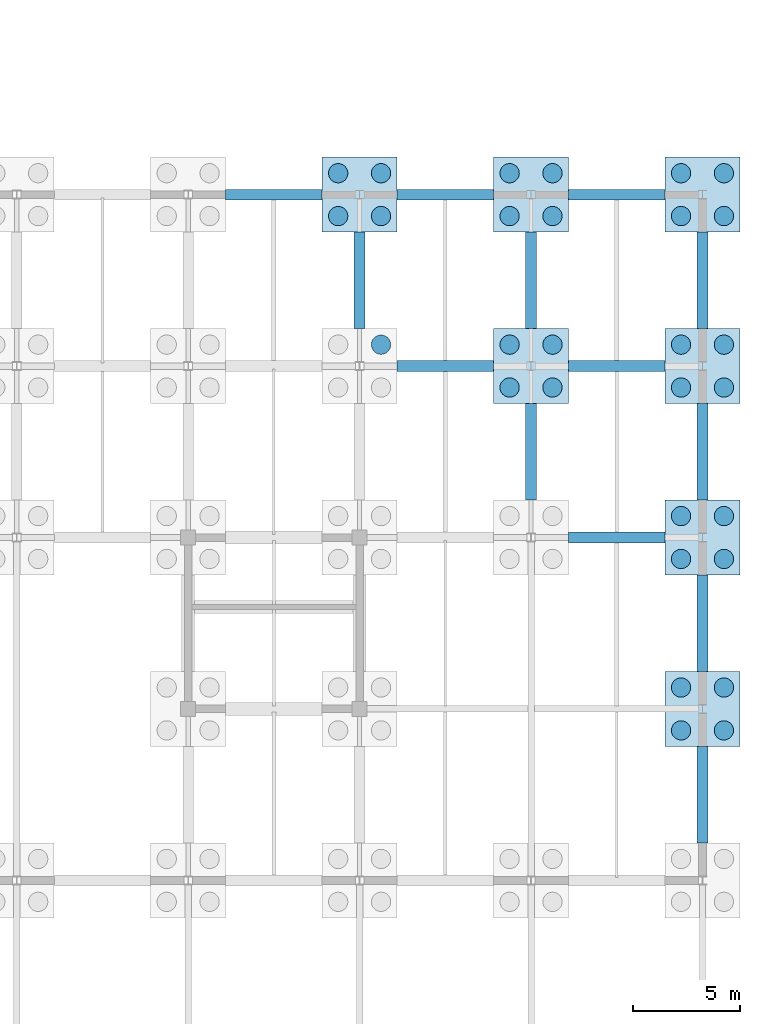
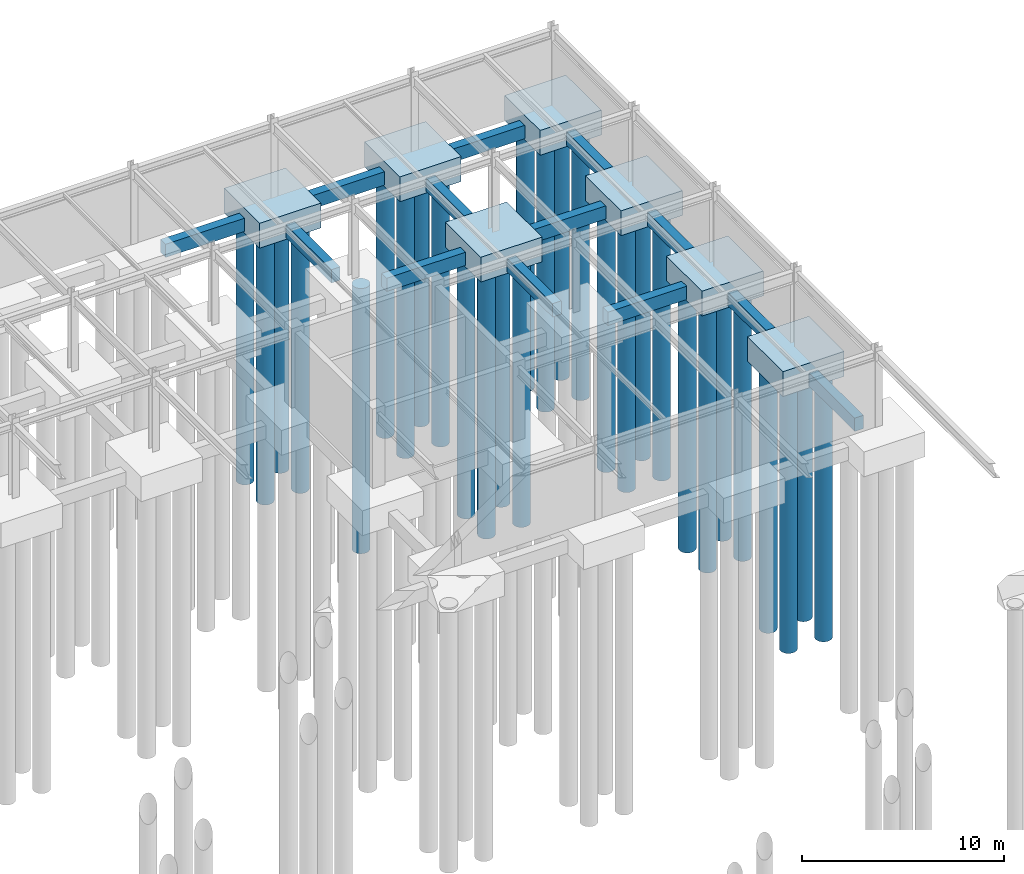
# One storey, part 11 of 72: 29 piles, 20 footings.
"""IFC4 building model written with IfcOpenShell, lengths in metres."""

from ifc_helpers import new_model, si_unit, direction, frame, origin, origin_2d, place, context, subcontext, project, spatial, rectangle, circle, extrude, material, material_profile, profile_set, type_object, element, save


model = new_model("IFC4")

# Units and contexts
model_context = context("Model", 3, precision=1e-05, world=origin(), true_north=direction((0.0, 1.0)))
body_context = subcontext(model_context, "Body", "Model", "MODEL_VIEW")
ifc_project = project(units=[si_unit("LENGTHUNIT", "METRE"), si_unit("AREAUNIT", "SQUARE_METRE"), si_unit("VOLUMEUNIT", "CUBIC_METRE"), si_unit("PLANEANGLEUNIT", "RADIAN"), si_unit("MASSUNIT", "GRAM", prefix="KILO")], contexts=[model_context])

# Site, building, storey
site_placement = place(None, origin())
site = spatial("IfcSite", under=ifc_project, at=site_placement, CompositionType="ELEMENT")
building_placement = place(site_placement, origin())
building = spatial("IfcBuilding", under=site, at=building_placement, Name="Zhaolan Boulevard Law Courts", CompositionType="ELEMENT")
storey_placement = place(building_placement, frame((0.0, 0.0, -4.800048828125)))
storey = spatial("IfcBuildingStorey", under=building, at=storey_placement, Name="B1", CompositionType="ELEMENT", Elevation=-4.800048828125)

# Piles
ifc_material_1 = material(Name="Concrete C40", Category="concrete")
ifc_material_profile_1 = material_profile(ifc_material_1, circle(Radius=0.449951171875, at=origin_2d()), Name="PILE-D900")
ifc_profile_set_1 = profile_set([ifc_material_profile_1], Name="Concrete C40")
pile_type = type_object("IfcPileType", Name="BORED PILE D900", PredefinedType="BORED", material=ifc_profile_set_1)
for number, where, z_axis, x_axis, name in (
    (1, (149.0, 87.0, -1.39990234375), (0.0, 0.0, -1.0), (1.0, 0.0, 0.0), "Bored Pile P-19M-4"),
    (2, (147.0, 93.0, -1.39990234375), (0.0, 0.0, -1.0), (1.0, 0.0, 0.0), "Bored Pile P-19N-1"),
    (3, (149.0, 93.0, -1.39990234375), (0.0, 0.0, -1.0), (1.0, 0.0, 0.0), "Bored Pile P-19N-2"),
    (4, (147.0, 95.0, -1.39990234375), (0.0, 0.0, -1.0), (1.0, 0.0, 0.0), "Bored Pile P-19N-3"),
    (5, (149.0, 95.0, -1.39990234375), (0.0, 0.0, -1.0), (1.0, 0.0, 0.0), "Bored Pile P-19N-4"),
    (6, (155.0, 85.0, -1.39990234375), (0.0, 0.0, -1.0), (1.0, 0.0, 0.0), "Bored Pile P-20M-1"),
    (7, (157.0, 85.0, -1.39990234375), (0.0, 0.0, -1.0), (1.0, 0.0, 0.0), "Bored Pile P-20M-2"),
    (8, (155.0, 87.0, -1.39990234375), (0.0, 0.0, -1.0), (1.0, 0.0, 0.0), "Bored Pile P-20M-3"),
    (9, (157.0, 87.0, -1.39990234375), (0.0, 0.0, -1.0), (1.0, 0.0, 0.0), "Bored Pile P-20M-4"),
    (10, (155.0, 93.0, -1.39990234375), (0.0, 0.0, -1.0), (1.0, 0.0, 0.0), "Bored Pile P-20N-1"),
    (11, (157.0, 93.0, -1.39990234375), (0.0, 0.0, -1.0), (1.0, 0.0, 0.0), "Bored Pile P-20N-2"),
    (12, (155.0, 95.0, -1.39990234375), (0.0, 0.0, -1.0), (1.0, 0.0, 0.0), "Bored Pile P-20N-3"),
    (13, (157.0, 95.0, -1.39990234375), (0.0, 0.0, -1.0), (1.0, 0.0, 0.0), "Bored Pile P-20N-4"),
    (14, (163.0, 69.0, -1.39990234375), (0.0, 0.0, -1.0), (1.0, 0.0, 0.0), "Bored Pile P-21K-1"),
    (15, (165.0, 69.0, -1.39990234375), (0.0, 0.0, -1.0), (1.0, 0.0, 0.0), "Bored Pile P-21K-2"),
    (16, (163.0, 71.0, -1.39990234375), (0.0, 0.0, -1.0), (1.0, 0.0, 0.0), "Bored Pile P-21K-3"),
    (17, (165.0, 71.0, -1.39990234375), (0.0, 0.0, -1.0), (1.0, 0.0, 0.0), "Bored Pile P-21K-4"),
    (18, (163.0, 77.0, -1.39990234375), (0.0, 0.0, -1.0), (1.0, 0.0, 0.0), "Bored Pile P-21L-1"),
    (19, (165.0, 77.0, -1.39990234375), (0.0, 0.0, -1.0), (1.0, 0.0, 0.0), "Bored Pile P-21L-2"),
    (20, (163.0, 79.0, -1.39990234375), (0.0, 0.0, -1.0), (1.0, 0.0, 0.0), "Bored Pile P-21L-3"),
    (21, (165.0, 79.0, -1.39990234375), (0.0, 0.0, -1.0), (1.0, 0.0, 0.0), "Bored Pile P-21L-4"),
    (22, (163.0, 85.0, -1.39990234375), (0.0, 0.0, -1.0), (1.0, 0.0, 0.0), "Bored Pile P-21M-1"),
    (23, (165.0, 85.0, -1.39990234375), (0.0, 0.0, -1.0), (1.0, 0.0, 0.0), "Bored Pile P-21M-2"),
    (24, (163.0, 87.0, -1.39990234375), (0.0, 0.0, -1.0), (1.0, 0.0, 0.0), "Bored Pile P-21M-3"),
    (25, (165.0, 87.0, -1.39990234375), (0.0, 0.0, -1.0), (1.0, 0.0, 0.0), "Bored Pile P-21M-4"),
    (26, (163.0, 93.0, -1.39990234375), (0.0, 0.0, -1.0), (1.0, 0.0, 0.0), "Bored Pile P-21N-1"),
    (27, (165.0, 93.0, -1.39990234375), (0.0, 0.0, -1.0), (1.0, 0.0, 0.0), "Bored Pile P-21N-2"),
    (28, (163.0, 95.0, -1.39990234375), (0.0, 0.0, -1.0), (1.0, 0.0, 0.0), "Bored Pile P-21N-3"),
    (29, (165.0, 95.0, -1.39990234375), (0.0, 0.0, -1.0), (1.0, 0.0, 0.0), "Bored Pile P-21N-4"),
):
    element("IfcPile", number, at=place(storey_placement, frame(where, z_axis=z_axis, x_axis=x_axis)), inside=storey, type_object=pile_type, Name=name, PredefinedType="BORED", context=body_context, shape_type="SweptSolid", body=[
        extrude(circle(Radius=0.449951171875, at=origin_2d()), origin(), (0.0, 0.0, 1.0), 16.0),
    ])

# Footings
ifc_material_2 = material(Name="Concrete C40", Category="concrete")
footing_type_1 = type_object("IfcFootingType", Name="PILE CAP 3500X3500X1500", PredefinedType="PILE_CAP", material=ifc_material_2)
for number, where, z_axis, x_axis, name in (
    (30, (148.0, 94.0, -1.5), (0.0, 0.0, 1.0), (1.0, 0.0, 0.0), "Pile Cap PC-19N"),
    (31, (156.0, 86.0, -1.5), (0.0, 0.0, 1.0), (1.0, 0.0, 0.0), "Pile Cap PC-20M"),
    (32, (156.0, 94.0, -1.5), (0.0, 0.0, 1.0), (1.0, 0.0, 0.0), "Pile Cap PC-20N"),
    (33, (164.0, 70.0, -1.5), (0.0, 0.0, 1.0), (1.0, 0.0, 0.0), "Pile Cap PC-21K"),
    (34, (164.0, 78.0, -1.5), (0.0, 0.0, 1.0), (1.0, 0.0, 0.0), "Pile Cap PC-21L"),
    (35, (164.0, 86.0, -1.5), (0.0, 0.0, 1.0), (1.0, 0.0, 0.0), "Pile Cap PC-21M"),
    (36, (164.0, 94.0, -1.5), (0.0, 0.0, 1.0), (1.0, 0.0, 0.0), "Pile Cap PC-21N"),
):
    element("IfcFooting", number, at=place(storey_placement, frame(where, z_axis=z_axis, x_axis=x_axis)), inside=storey, type_object=footing_type_1, Name=name, PredefinedType="PILE_CAP", context=body_context, shape_type="SweptSolid", body=[
        extrude(rectangle(XDim=3.5, YDim=3.5, at=origin_2d()), origin(), (0.0, 0.0, 1.0), 1.5),
    ])
ifc_material_3 = material(Name="Concrete C40", Category="concrete")
ifc_material_profile_2 = material_profile(ifc_material_3, rectangle(XDim=0.5, YDim=0.800048828125, at=origin_2d()), Name="RC500x800")
ifc_profile_set_2 = profile_set([ifc_material_profile_2], Name="Concrete C40")
footing_type_2 = type_object("IfcFootingType", Name="TIE BEAM 500X800", PredefinedType="FOOTING_BEAM", material=ifc_profile_set_2)
for number, where, z_axis, x_axis, name in (
    (37, (141.751953125, 94.0, -1.0), (1.0, 0.0, 0.0), (0.0, 1.0, 0.0), "Foundation Tie Beam TBX-18-19-N"),
    (38, (149.751953125, 86.0, -1.0), (1.0, 0.0, 0.0), (0.0, 1.0, 0.0), "Foundation Tie Beam TBX-19-20-M"),
    (39, (149.751953125, 94.0, -1.0), (1.0, 0.0, 0.0), (0.0, 1.0, 0.0), "Foundation Tie Beam TBX-19-20-N"),
    (40, (157.751953125, 78.0, -1.0), (1.0, 0.0, 0.0), (0.0, 1.0, 0.0), "Foundation Tie Beam TBX-20-21-L"),
    (41, (157.751953125, 86.0, -1.0), (1.0, 0.0, 0.0), (0.0, 1.0, 0.0), "Foundation Tie Beam TBX-20-21-M"),
    (42, (157.751953125, 94.0, -1.0), (1.0, 0.0, 0.0), (0.0, 1.0, 0.0), "Foundation Tie Beam TBX-20-21-N"),
    (43, (148.0, 87.751953125, -1.0), (0.0, 1.0, 0.0), (-1.0, 0.0, 0.0), "Foundation Tie Beam TBY-19-M-N"),
    (44, (156.0, 79.751953125, -1.0), (0.0, 1.0, 0.0), (-1.0, 0.0, 0.0), "Foundation Tie Beam TBY-20-L-M"),
    (45, (156.0, 87.751953125, -1.0), (0.0, 1.0, 0.0), (-1.0, 0.0, 0.0), "Foundation Tie Beam TBY-20-M-N"),
    (46, (164.0, 63.751953125, -1.0), (0.0, 1.0, 0.0), (-1.0, 0.0, 0.0), "Foundation Tie Beam TBY-21-J-K"),
    (47, (164.0, 71.751953125, -1.0), (0.0, 1.0, 0.0), (-1.0, 0.0, 0.0), "Foundation Tie Beam TBY-21-K-L"),
    (48, (164.0, 79.751953125, -1.0), (0.0, 1.0, 0.0), (-1.0, 0.0, 0.0), "Foundation Tie Beam TBY-21-L-M"),
    (49, (164.0, 87.751953125, -1.0), (0.0, 1.0, 0.0), (-1.0, 0.0, 0.0), "Foundation Tie Beam TBY-21-M-N"),
):
    element("IfcFooting", number, at=place(storey_placement, frame(where, z_axis=z_axis, x_axis=x_axis)), inside=storey, type_object=footing_type_2, Name=name, PredefinedType="FOOTING_BEAM", context=body_context, shape_type="SweptSolid", body=[
        extrude(rectangle(XDim=0.5, YDim=0.800048828125, at=origin_2d()), origin(), (0.0, 0.0, 1.0), 4.49609375),
    ])

save(model, "model.ifc")
